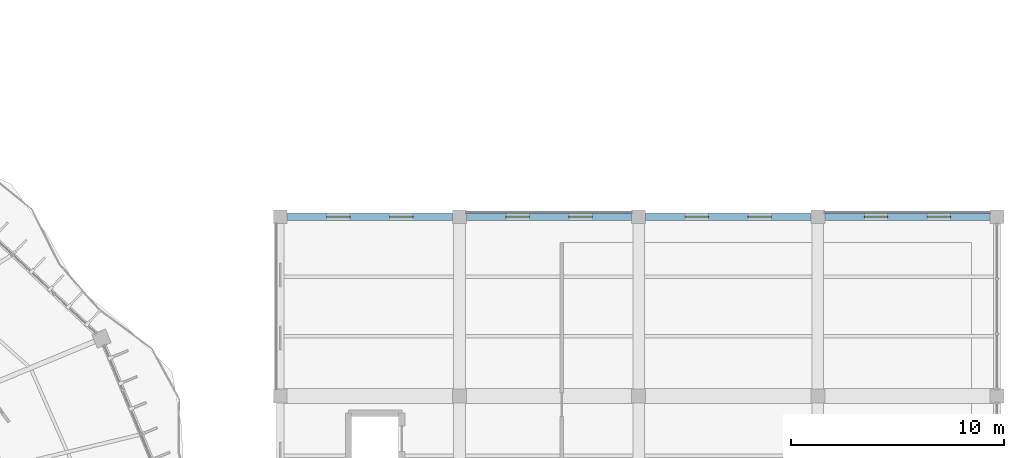
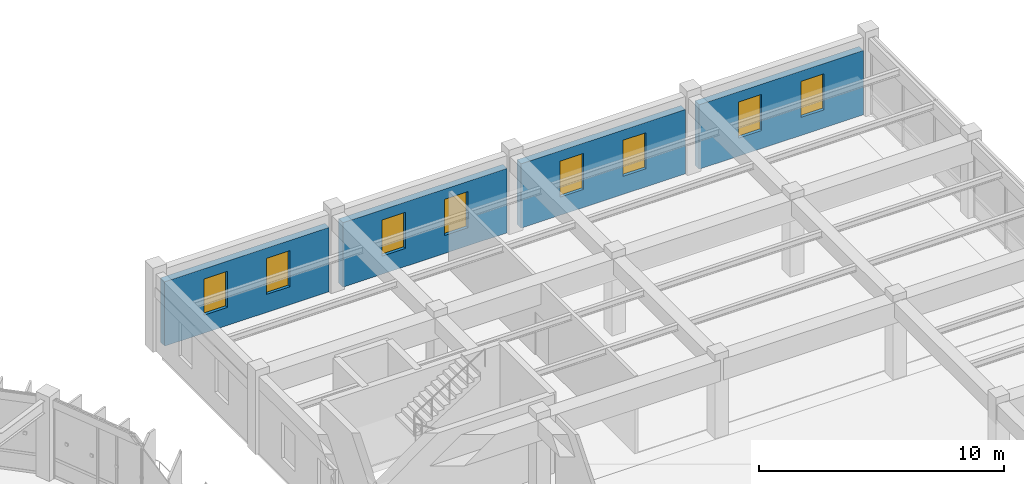
# One storey, part 120 of 138: 8 windows, 4 walls, 8 openings.
"""IFC4 building model written with IfcOpenShell, lengths in metres."""

from ifc_helpers import new_model, si_unit, direction, frame, frame_2d, origin, place, context, subcontext, project, spatial, rectangle, extrude, material, layer, layer_set, type_object, element, fill, save


model = new_model("IFC4")

# Units and contexts
model_context = context("Model", 3, precision=1e-05, world=origin(), true_north=direction((0.0, 1.0)))
body_context = subcontext(model_context, "Body", "Model", "MODEL_VIEW")
ifc_project = project(units=[si_unit("LENGTHUNIT", "METRE"), si_unit("AREAUNIT", "SQUARE_METRE"), si_unit("VOLUMEUNIT", "CUBIC_METRE"), si_unit("PLANEANGLEUNIT", "RADIAN"), si_unit("MASSUNIT", "GRAM", prefix="KILO"), si_unit("THERMODYNAMICTEMPERATUREUNIT", "KELVIN"), si_unit("POWERUNIT", "WATT")], contexts=[model_context])

# Site, building, storey
site_placement = place(None, origin())
site = spatial("IfcSite", under=ifc_project, at=site_placement, CompositionType="ELEMENT")
building_placement = place(site_placement, origin())
building = spatial("IfcBuilding", under=site, at=building_placement, Name="Darbajah Civic Hall", CompositionType="ELEMENT")
storey_placement = place(building_placement, frame((0.0, 0.0, 9.60009765625)))
storey = spatial("IfcBuildingStorey", under=building, at=storey_placement, Name="L02", CompositionType="ELEMENT", Elevation=9.60009765625)

# Wall, openings, windows
ifc_material_1 = material(Name="Qatari Desert Limestone Ashlar", Category="masonry")
ifc_layer = layer(ifc_material_1, 0.340087890625, Name="Qatari Desert Limestone Ashlar")
ifc_layer_set = layer_set([ifc_layer], Name="Qatari Desert Limestone Ashlar")
wall_type = type_object("IfcWallType", Name="Exterior Wall 340mm", PredefinedType="SOLIDWALL", material=ifc_layer_set)
wall_1_placement = place(storey_placement, frame((177.873046875, 106.800048828125, 0.0), z_axis=(0.0, 0.0, 1.0), x_axis=(-1.0, 0.0, 0.0)))
wall_1 = element("IfcWall", 1, at=wall_1_placement, inside=storey, type_object=wall_type, Name="L02 exterior wall EW-340", PredefinedType="SOLIDWALL", context=body_context, shape_type="SweptSolid", body=[
    extrude(rectangle(XDim=7.74609375, YDim=0.340087890625, at=frame_2d((3.873046875, 0.0))), origin(), (0.0, 0.0, 1.0), 3.2099609375),
])
opening_1_placement = place(wall_1_placement, frame((1.8486328125, 0.0, 0.89990234375)))
opening_1 = element("IfcOpeningElement", 2, at=opening_1_placement, cuts=wall_1, Name="Opening WN-17", PredefinedType="OPENING", context=body_context, shape_type="SweptSolid", body=[
    extrude(rectangle(XDim=1.10009765625, YDim=1.800048828125, at=frame_2d((0.550048828125, 0.89990234375))), frame((0.0, 0.179931640625, 0.0), z_axis=(0.0, -1.0, 0.0), x_axis=(1.0, 0.0, 0.0)), (0.0, 0.0, 1.0), 0.360107421875),
])
opening_2_placement = place(wall_1_placement, frame((4.79736328125, 0.0, 0.89990234375)))
opening_2 = element("IfcOpeningElement", 3, at=opening_2_placement, cuts=wall_1, Name="Opening WN-17", PredefinedType="OPENING", context=body_context, shape_type="SweptSolid", body=[
    extrude(rectangle(XDim=1.10009765625, YDim=1.800048828125, at=frame_2d((0.550048828125, 0.89990234375))), frame((0.0, 0.179931640625, 0.0), z_axis=(0.0, -1.0, 0.0), x_axis=(1.0, 0.0, 0.0)), (0.0, 0.0, 1.0), 0.360107421875),
])
ifc_material_2 = material(Name="Low-E Solar Control Double Glazing", Category="glass")
window_type = type_object("IfcWindowType", Name="Facade Window 1100x1800", PartitioningType="SINGLE_PANEL", PredefinedType="WINDOW", material=ifc_material_2)
window_1_placement = place(opening_1_placement, origin())
window_1 = element("IfcWindow", 4, at=window_1_placement, inside=storey, type_object=window_type, Name="L02 facade window WN-17", OverallHeight=1.800048828125, OverallWidth=1.10009765625, PartitioningType="SINGLE_PANEL", PredefinedType="WINDOW", context=body_context, shape_type="SweptSolid", body=[
    extrude(rectangle(XDim=1.10009765625, YDim=1.800048828125, at=frame_2d((0.550048828125, 0.89990234375))), frame((0.0, 0.030029296875, 0.0), z_axis=(0.0, -1.0, 0.0), x_axis=(1.0, 0.0, 0.0)), (0.0, 0.0, 1.0), 0.06005859375),
])
fill(opening_1, window_1)
window_2_placement = place(opening_2_placement, origin())
window_2 = element("IfcWindow", 5, at=window_2_placement, inside=storey, type_object=window_type, Name="L02 facade window WN-17", OverallHeight=1.800048828125, OverallWidth=1.10009765625, PartitioningType="SINGLE_PANEL", PredefinedType="WINDOW", context=body_context, shape_type="SweptSolid", body=[
    extrude(rectangle(XDim=1.10009765625, YDim=1.800048828125, at=frame_2d((0.550048828125, 0.89990234375))), frame((0.0, 0.030029296875, 0.0), z_axis=(0.0, -1.0, 0.0), x_axis=(1.0, 0.0, 0.0)), (0.0, 0.0, 1.0), 0.06005859375),
])
fill(opening_2, window_2)

wall_2_placement = place(storey_placement, frame((169.472900390625, 106.800048828125, 0.0), z_axis=(0.0, 0.0, 1.0), x_axis=(-1.0, 0.0, 0.0)))
wall_2 = element("IfcWall", 6, at=wall_2_placement, inside=storey, type_object=wall_type, Name="L02 exterior wall EW-340", PredefinedType="SOLIDWALL", context=body_context, shape_type="SweptSolid", body=[
    extrude(rectangle(XDim=7.745849609375, YDim=0.340087890625, at=frame_2d((3.873046875, 0.0))), origin(), (0.0, 0.0, 1.0), 3.2099609375),
])
opening_3_placement = place(wall_2_placement, frame((1.8486328125, 0.0, 0.89990234375)))
opening_3 = element("IfcOpeningElement", 7, at=opening_3_placement, cuts=wall_2, Name="Opening WN-17", PredefinedType="OPENING", context=body_context, shape_type="SweptSolid", body=[
    extrude(rectangle(XDim=1.10009765625, YDim=1.800048828125, at=frame_2d((0.550048828125, 0.89990234375))), frame((0.0, 0.179931640625, 0.0), z_axis=(0.0, -1.0, 0.0), x_axis=(1.0, 0.0, 0.0)), (0.0, 0.0, 1.0), 0.360107421875),
])
opening_4_placement = place(wall_2_placement, frame((4.79736328125, 0.0, 0.89990234375)))
opening_4 = element("IfcOpeningElement", 8, at=opening_4_placement, cuts=wall_2, Name="Opening WN-17", PredefinedType="OPENING", context=body_context, shape_type="SweptSolid", body=[
    extrude(rectangle(XDim=1.10009765625, YDim=1.800048828125, at=frame_2d((0.550048828125, 0.89990234375))), frame((0.0, 0.179931640625, 0.0), z_axis=(0.0, -1.0, 0.0), x_axis=(1.0, 0.0, 0.0)), (0.0, 0.0, 1.0), 0.360107421875),
])
window_3_placement = place(opening_3_placement, origin())
window_3 = element("IfcWindow", 9, at=window_3_placement, inside=storey, type_object=window_type, Name="L02 facade window WN-17", OverallHeight=1.800048828125, OverallWidth=1.10009765625, PartitioningType="SINGLE_PANEL", PredefinedType="WINDOW", context=body_context, shape_type="SweptSolid", body=[
    extrude(rectangle(XDim=1.10009765625, YDim=1.800048828125, at=frame_2d((0.550048828125, 0.89990234375))), frame((0.0, 0.030029296875, 0.0), z_axis=(0.0, -1.0, 0.0), x_axis=(1.0, 0.0, 0.0)), (0.0, 0.0, 1.0), 0.06005859375),
])
fill(opening_3, window_3)
window_4_placement = place(opening_4_placement, origin())
window_4 = element("IfcWindow", 10, at=window_4_placement, inside=storey, type_object=window_type, Name="L02 facade window WN-17", OverallHeight=1.800048828125, OverallWidth=1.10009765625, PartitioningType="SINGLE_PANEL", PredefinedType="WINDOW", context=body_context, shape_type="SweptSolid", body=[
    extrude(rectangle(XDim=1.10009765625, YDim=1.800048828125, at=frame_2d((0.550048828125, 0.89990234375))), frame((0.0, 0.030029296875, 0.0), z_axis=(0.0, -1.0, 0.0), x_axis=(1.0, 0.0, 0.0)), (0.0, 0.0, 1.0), 0.06005859375),
])
fill(opening_4, window_4)

wall_3_placement = place(storey_placement, frame((161.072998046875, 106.800048828125, 0.0), z_axis=(0.0, 0.0, 1.0), x_axis=(-1.0, 0.0, 0.0)))
wall_3 = element("IfcWall", 11, at=wall_3_placement, inside=storey, type_object=wall_type, Name="L02 exterior wall EW-340", PredefinedType="SOLIDWALL", context=body_context, shape_type="SweptSolid", body=[
    extrude(rectangle(XDim=7.74609375, YDim=0.340087890625, at=frame_2d((3.873046875, 0.0))), origin(), (0.0, 0.0, 1.0), 3.2099609375),
])
opening_5_placement = place(wall_3_placement, frame((1.8486328125, 0.0, 0.89990234375)))
opening_5 = element("IfcOpeningElement", 12, at=opening_5_placement, cuts=wall_3, Name="Opening WN-17", PredefinedType="OPENING", context=body_context, shape_type="SweptSolid", body=[
    extrude(rectangle(XDim=1.10009765625, YDim=1.800048828125, at=frame_2d((0.550048828125, 0.89990234375))), frame((0.0, 0.179931640625, 0.0), z_axis=(0.0, -1.0, 0.0), x_axis=(1.0, 0.0, 0.0)), (0.0, 0.0, 1.0), 0.360107421875),
])
opening_6_placement = place(wall_3_placement, frame((4.79736328125, 0.0, 0.89990234375)))
opening_6 = element("IfcOpeningElement", 13, at=opening_6_placement, cuts=wall_3, Name="Opening WN-17", PredefinedType="OPENING", context=body_context, shape_type="SweptSolid", body=[
    extrude(rectangle(XDim=1.10009765625, YDim=1.800048828125, at=frame_2d((0.550048828125, 0.89990234375))), frame((0.0, 0.179931640625, 0.0), z_axis=(0.0, -1.0, 0.0), x_axis=(1.0, 0.0, 0.0)), (0.0, 0.0, 1.0), 0.360107421875),
])
window_5_placement = place(opening_5_placement, origin())
window_5 = element("IfcWindow", 14, at=window_5_placement, inside=storey, type_object=window_type, Name="L02 facade window WN-17", OverallHeight=1.800048828125, OverallWidth=1.10009765625, PartitioningType="SINGLE_PANEL", PredefinedType="WINDOW", context=body_context, shape_type="SweptSolid", body=[
    extrude(rectangle(XDim=1.10009765625, YDim=1.800048828125, at=frame_2d((0.550048828125, 0.89990234375))), frame((0.0, 0.030029296875, 0.0), z_axis=(0.0, -1.0, 0.0), x_axis=(1.0, 0.0, 0.0)), (0.0, 0.0, 1.0), 0.06005859375),
])
fill(opening_5, window_5)
window_6_placement = place(opening_6_placement, origin())
window_6 = element("IfcWindow", 15, at=window_6_placement, inside=storey, type_object=window_type, Name="L02 facade window WN-17", OverallHeight=1.800048828125, OverallWidth=1.10009765625, PartitioningType="SINGLE_PANEL", PredefinedType="WINDOW", context=body_context, shape_type="SweptSolid", body=[
    extrude(rectangle(XDim=1.10009765625, YDim=1.800048828125, at=frame_2d((0.550048828125, 0.89990234375))), frame((0.0, 0.030029296875, 0.0), z_axis=(0.0, -1.0, 0.0), x_axis=(1.0, 0.0, 0.0)), (0.0, 0.0, 1.0), 0.06005859375),
])
fill(opening_6, window_6)

wall_4_placement = place(storey_placement, frame((152.673095703125, 106.800048828125, 0.0), z_axis=(0.0, 0.0, 1.0), x_axis=(-1.0, 0.0, 0.0)))
wall_4 = element("IfcWall", 16, at=wall_4_placement, inside=storey, type_object=wall_type, Name="L02 exterior wall EW-340", PredefinedType="SOLIDWALL", context=body_context, shape_type="SweptSolid", body=[
    extrude(rectangle(XDim=7.74609375, YDim=0.340087890625, at=frame_2d((3.873046875, 0.0))), origin(), (0.0, 0.0, 1.0), 3.2099609375),
])
opening_7_placement = place(wall_4_placement, frame((1.8486328125, 0.0, 0.89990234375)))
opening_7 = element("IfcOpeningElement", 17, at=opening_7_placement, cuts=wall_4, Name="Opening WN-17", PredefinedType="OPENING", context=body_context, shape_type="SweptSolid", body=[
    extrude(rectangle(XDim=1.10009765625, YDim=1.800048828125, at=frame_2d((0.550048828125, 0.89990234375))), frame((0.0, 0.179931640625, 0.0), z_axis=(0.0, -1.0, 0.0), x_axis=(1.0, 0.0, 0.0)), (0.0, 0.0, 1.0), 0.360107421875),
])
opening_8_placement = place(wall_4_placement, frame((4.79736328125, 0.0, 0.89990234375)))
opening_8 = element("IfcOpeningElement", 18, at=opening_8_placement, cuts=wall_4, Name="Opening WN-17", PredefinedType="OPENING", context=body_context, shape_type="SweptSolid", body=[
    extrude(rectangle(XDim=1.10009765625, YDim=1.800048828125, at=frame_2d((0.550048828125, 0.89990234375))), frame((0.0, 0.179931640625, 0.0), z_axis=(0.0, -1.0, 0.0), x_axis=(1.0, 0.0, 0.0)), (0.0, 0.0, 1.0), 0.360107421875),
])
window_7_placement = place(opening_7_placement, origin())
window_7 = element("IfcWindow", 19, at=window_7_placement, inside=storey, type_object=window_type, Name="L02 facade window WN-17", OverallHeight=1.800048828125, OverallWidth=1.10009765625, PartitioningType="SINGLE_PANEL", PredefinedType="WINDOW", context=body_context, shape_type="SweptSolid", body=[
    extrude(rectangle(XDim=1.10009765625, YDim=1.800048828125, at=frame_2d((0.550048828125, 0.89990234375))), frame((0.0, 0.030029296875, 0.0), z_axis=(0.0, -1.0, 0.0), x_axis=(1.0, 0.0, 0.0)), (0.0, 0.0, 1.0), 0.06005859375),
])
fill(opening_7, window_7)
window_8_placement = place(opening_8_placement, origin())
window_8 = element("IfcWindow", 20, at=window_8_placement, inside=storey, type_object=window_type, Name="L02 facade window WN-17", OverallHeight=1.800048828125, OverallWidth=1.10009765625, PartitioningType="SINGLE_PANEL", PredefinedType="WINDOW", context=body_context, shape_type="SweptSolid", body=[
    extrude(rectangle(XDim=1.10009765625, YDim=1.800048828125, at=frame_2d((0.550048828125, 0.89990234375))), frame((0.0, 0.030029296875, 0.0), z_axis=(0.0, -1.0, 0.0), x_axis=(1.0, 0.0, 0.0)), (0.0, 0.0, 1.0), 0.06005859375),
])
fill(opening_8, window_8)

save(model, "model.ifc")
